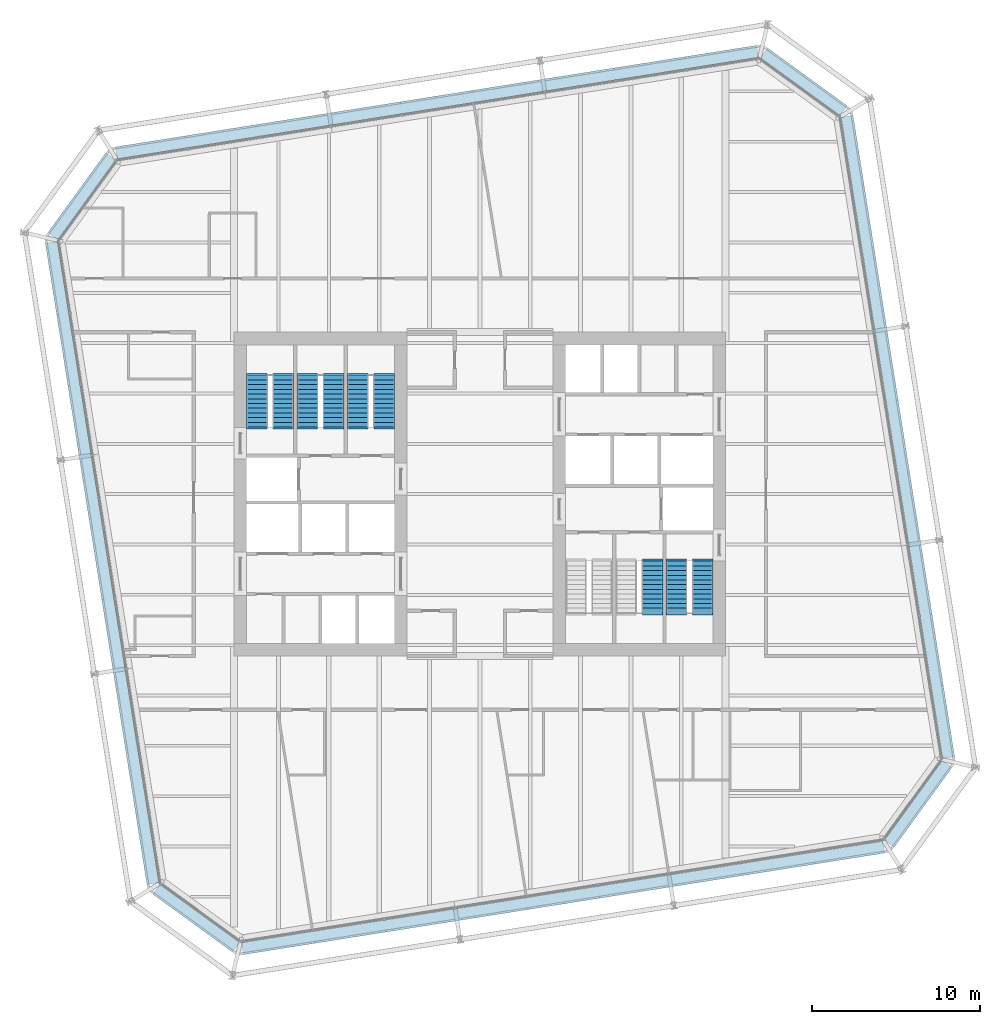
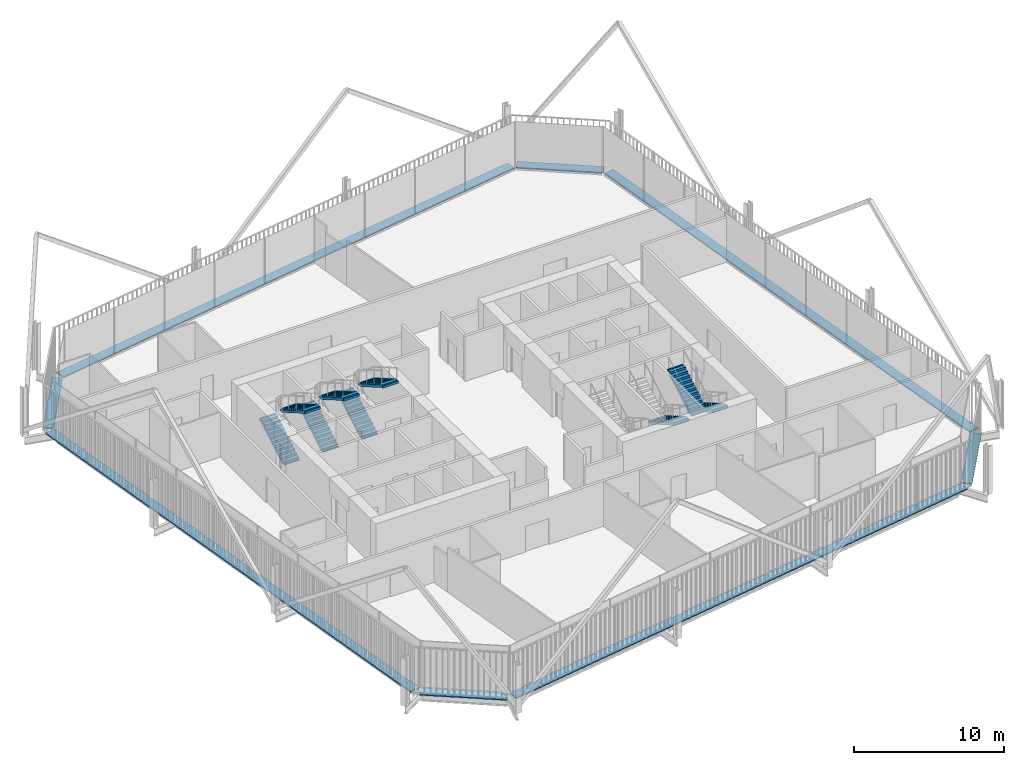
# One storey, part 21 of 22: 9 stair flights, 8 discrete accessories, 5 elements without a shape of their own.
"""IFC4 building model written with IfcOpenShell, lengths in metres."""

import ifcopenshell
import ifcopenshell.guid

model = None  # the IFC model being written
_history = None  # IfcOwnerHistory: only IFC2X3 demands one
_inside = {}  # id of a spatial element -> (the spatial element, [elements in it])
_under = {}  # id of a project, library or spatial element -> (it, [spatial elements below it])
_declared = {}  # id of a project -> (the project, [libraries it declares])
_typed = {}  # id of a type object -> (the type object, [elements of that type])
_made_of = {}  # id of a material, layer set ... -> (it, [elements and type objects made of it])


def new_model(schema):
    """Start an empty IFC model of exactly this schema.

    Asked for "IFC4X3", IfcOpenShell would pick the latest addendum, in which some entities
    have other attributes; the version numbers below select the first issue.
    IFC2X3 requires an IfcOwnerHistory on every rooted entity: one is made here for all.
    """
    global model, _history
    if schema == "IFC4X3":
        model = ifcopenshell.file(schema_version=(4, 3, 0, 0))
    else:
        model = ifcopenshell.file(schema=schema)
    _inside.clear()
    _under.clear()
    _declared.clear()
    _typed.clear()
    _made_of.clear()
    _history = None
    if model.schema == "IFC2X3":
        org = make("IfcOrganization", Name="unknown")
        user = make(
            "IfcPersonAndOrganization",
            ThePerson=make("IfcPerson", FamilyName="unknown"),
            TheOrganization=org,
        )
        app = make(
            "IfcApplication",
            ApplicationDeveloper=org,
            Version="unknown",
            ApplicationFullName="unknown",
            ApplicationIdentifier="unknown",
        )
        _history = make(
            "IfcOwnerHistory",
            OwningUser=user,
            OwningApplication=app,
            ChangeAction="ADDED",
            CreationDate=0,
        )
    return model


def make(cls, **values):
    """One entity of the class cls with the attributes given. An attribute that is None is left unset."""
    return model.create_entity(
        cls, **{name: value for name, value in values.items() if value is not None}
    )


def rooted(cls, **values):
    """An entity with a GlobalId (a new one), such as an element, a storey or a relation."""
    return make(cls, GlobalId=ifcopenshell.guid.new(), OwnerHistory=_history, **values)


def si_unit(unit_type, name, prefix=None):
    """IfcSIUnit, for example si_unit("LENGTHUNIT", "METRE", prefix="MILLI")."""
    return make("IfcSIUnit", UnitType=unit_type, Prefix=prefix, Name=name)


def assignment(units):
    """IfcUnitAssignment: the units of a project."""
    return None if units is None else make("IfcUnitAssignment", Units=units)


def point(xyz):
    """IfcCartesianPoint."""
    return None if xyz is None else make("IfcCartesianPoint", Coordinates=xyz)


def direction(xyz):
    """IfcDirection."""
    return None if xyz is None else make("IfcDirection", DirectionRatios=xyz)


def frame(location, z_axis=None, x_axis=None):
    """IfcAxis2Placement3D, a coordinate frame: its origin and axes. An axis left out is left unset."""
    return make(
        "IfcAxis2Placement3D",
        Location=point(location),
        Axis=direction(z_axis),
        RefDirection=direction(x_axis),
    )


def frame_2d(location, x_axis=None):
    """IfcAxis2Placement2D, a coordinate frame in the plane: its origin and x axis."""
    return make(
        "IfcAxis2Placement2D", Location=point(location), RefDirection=direction(x_axis)
    )


def origin():
    """The frame at (0, 0, 0) with its axes left unset."""
    return frame((0.0, 0.0, 0.0))


def origin_2d():
    """The frame at (0, 0) in the plane with its x axis left unset."""
    return frame_2d((0.0, 0.0))


def place(relative_to, where):
    """IfcLocalPlacement: puts the frame where relative to a parent placement (None: the world)."""
    return make(
        "IfcLocalPlacement", PlacementRelTo=relative_to, RelativePlacement=where
    )


def context(
    kind, dimensions, precision=None, world=None, true_north=None, identifier=None
):
    """IfcGeometricRepresentationContext, for example the 3D "Model" context."""
    return make(
        "IfcGeometricRepresentationContext",
        ContextIdentifier=identifier,
        ContextType=kind,
        CoordinateSpaceDimension=dimensions,
        Precision=precision,
        WorldCoordinateSystem=world,
        TrueNorth=true_north,
    )


def subcontext(parent, identifier, kind, view, scale=None):
    """IfcGeometricRepresentationSubContext, for example "Body" below "Model"."""
    return make(
        "IfcGeometricRepresentationSubContext",
        ContextIdentifier=identifier,
        ContextType=kind,
        ParentContext=parent,
        TargetScale=scale,
        TargetView=view,
    )


def project(units=None, contexts=None):
    """IfcProject with its units and contexts."""
    return rooted(
        "IfcProject",
        Name="project",
        RepresentationContexts=contexts,
        UnitsInContext=assignment(units),
    )


def spatial(cls, under=None, at=None, **own):
    """A site, building, storey or space (cls), placed at a placement, below another one or the project."""
    s = rooted(cls, ObjectPlacement=at, **own)
    if under is not None:
        _under.setdefault(under.id(), (under, []))[1].append(s)
    return s


def polyline(points):
    """IfcPolyline through the points."""
    return make("IfcPolyline", Points=[point(p) for p in points])


def profile(cls, at=None, kind="AREA", **sizes):
    """A parametric profile (cls). Its sizes go by their IFC names, for example OverallWidth=200.0."""
    return make(cls, ProfileType=kind, Position=at, **sizes)


def rectangle(**sizes):
    """IfcRectangleProfileDef."""
    return profile("IfcRectangleProfileDef", **sizes)


def outline(outer, holes=None, kind="AREA"):
    """IfcArbitraryClosedProfileDef: a profile drawn as a closed curve; with holes, ...WithVoids."""
    if holes is None:
        return make("IfcArbitraryClosedProfileDef", ProfileType=kind, OuterCurve=outer)
    return make(
        "IfcArbitraryProfileDefWithVoids",
        ProfileType=kind,
        OuterCurve=outer,
        InnerCurves=holes,
    )


def extrude(swept, where, along, depth):
    """IfcExtrudedAreaSolid: the profile swept, set in the frame where, extruded along a direction by depth."""
    return make(
        "IfcExtrudedAreaSolid",
        SweptArea=swept,
        Position=where,
        ExtrudedDirection=direction(along),
        Depth=depth,
    )


def shape(context_of_items, identifier, shape_type, items):
    """IfcShapeRepresentation: the items that make up one representation, for example the "Body"."""
    return make(
        "IfcShapeRepresentation",
        ContextOfItems=context_of_items,
        RepresentationIdentifier=identifier,
        RepresentationType=shape_type,
        Items=items,
    )


def material(Name=None, Category=None):
    """IfcMaterial."""
    return make("IfcMaterial", Name=Name, Category=Category)


def made_of(thing, what):
    """Note that an element or type object is made of a material, layer set ...; save() writes the relation."""
    if what is not None:
        _made_of.setdefault(what.id(), (what, []))[1].append(thing)
    return thing


def type_object(cls, material=None, **own):
    """A type object (cls), such as IfcWallType, which elements share."""
    return made_of(rooted(cls, **own), material)


def element(
    cls,
    number,
    at=None,
    inside=None,
    cuts=None,
    type_object=None,
    material=None,
    context=None,
    identifier="Body",
    shape_type=None,
    held_by="IfcProductDefinitionShape",
    body=None,
    shapes=None,
    **own,
):
    """One element of the class cls, such as IfcWall. Its Tag is "e" and its number.

    at: its placement. inside: the storey or other place that contains it. cuts: it is an
    opening in that element (IfcRelVoidsElement). A single representation is given by context,
    identifier, shape_type and body (its items); several are given by shapes. held_by: the class
    of the entity that holds the representations. save() writes the other relations.
    """
    e = rooted(cls, Tag="e%d" % number, ObjectPlacement=at, **own)
    if body is not None:
        shapes = [shape(context, identifier, shape_type, body)]
    if shapes is not None:
        e.Representation = make(held_by, Representations=shapes)
    if inside is not None:
        _inside.setdefault(inside.id(), (inside, []))[1].append(e)
    if cuts is not None:
        rooted(
            "IfcRelVoidsElement", RelatingBuildingElement=cuts, RelatedOpeningElement=e
        )
    if type_object is not None:
        _typed.setdefault(type_object.id(), (type_object, []))[1].append(e)
    return made_of(e, material)


def aggregate(whole, parts):
    """IfcRelAggregates: a whole, such as a stair, and the parts it consists of."""
    return rooted("IfcRelAggregates", RelatingObject=whole, RelatedObjects=parts)


def save(model, path):
    """Write the relations noted so far, then the file.

    IfcRelAggregates (storeys below a building ...), IfcRelContainedInSpatialStructure (elements
    in a storey), IfcRelDefinesByType, IfcRelAssociatesMaterial and IfcRelDeclares: one each for
    every whole, place, type object, material and project.
    """
    for whole, parts in _under.values():
        aggregate(whole, parts)
    for where, things in _inside.values():
        rooted(
            "IfcRelContainedInSpatialStructure",
            RelatedElements=things,
            RelatingStructure=where,
        )
    for kind, things in _typed.values():
        rooted("IfcRelDefinesByType", RelatedObjects=things, RelatingType=kind)
    for what, things in _made_of.values():
        rooted("IfcRelAssociatesMaterial", RelatedObjects=things, RelatingMaterial=what)
    for by, libraries in _declared.values():
        rooted("IfcRelDeclares", RelatingContext=by, RelatedDefinitions=libraries)
    model.write(path)


model = new_model("IFC4")

# Units and contexts
model_context = context("Model", 3, precision=1e-05, world=origin(), true_north=direction((0.0, 1.0)))
body_context = subcontext(model_context, "Body", "Model", "MODEL_VIEW")
ifc_project = project(units=[si_unit("LENGTHUNIT", "METRE"), si_unit("AREAUNIT", "SQUARE_METRE"), si_unit("VOLUMEUNIT", "CUBIC_METRE"), si_unit("PLANEANGLEUNIT", "RADIAN"), si_unit("MASSUNIT", "GRAM", prefix="KILO")], contexts=[model_context])

# Site, building, storey
site_placement = place(None, origin())
site = spatial("IfcSite", under=ifc_project, at=site_placement, CompositionType="ELEMENT")
building_placement = place(site_placement, origin())
building = spatial("IfcBuilding", under=site, at=building_placement, Name="Millrace Tower", CompositionType="ELEMENT")
storey_placement = place(building_placement, frame((0.0, 0.0, 168.5)))
storey = spatial("IfcBuildingStorey", under=building, at=storey_placement, Name="L38", CompositionType="ELEMENT", Elevation=168.5)

# Stair, stair flights
ifc_material_1 = material(Name="Concrete C35", Category="concrete")
stair_type = type_object("IfcStairType", Name="Exit stair", PredefinedType="HALF_TURN_STAIR", material=ifc_material_1)
placement = place(storey_placement, origin())
stair_1 = element("IfcStair", 1, at=placement, inside=storey, type_object=stair_type, Name="Stair 1 W L38", PredefinedType="HALF_TURN_STAIR")
ifc_material_2 = material(Name="Concrete C35", Category="concrete")
stair_flight_type = type_object("IfcStairFlightType", Name="Exit stair flight", PredefinedType="STRAIGHT", material=ifc_material_2)
stair_flight_1_placement = place(storey_placement, frame((-13.2900390625, 4.0, 0.0), z_axis=(0.0, 0.0, 1.0), x_axis=(0.0, 1.0, 0.0)))
stair_flight_1 = element("IfcStairFlight", 2, at=stair_flight_1_placement, type_object=stair_flight_type, Name="ST12 flight 1", NumberOfRisers=12, NumberOfTreads=11, PredefinedType="STRAIGHT", RiserHeight=0.1625, TreadLength=0.28, context=body_context, shape_type="SweptSolid", body=[
    extrude(outline(polyline([(-0.1201171875, -0.0400390625), (-0.1201171875, 0.0), (0.0, 0.0), (0.0, 0.16259765625), (0.280029296875, 0.16259765625), (0.280029296875, 0.324951171875), (0.56005859375, 0.324951171875), (0.56005859375, 0.487548828125), (0.840087890625, 0.487548828125), (0.840087890625, 0.64990234375), (1.1201171875, 0.64990234375), (1.1201171875, 0.8125), (1.39990234375, 0.8125), (1.39990234375, 0.97509765625), (1.679931640625, 0.97509765625), (1.679931640625, 1.137451171875), (1.9599609375, 1.137451171875), (1.9599609375, 1.300048828125), (2.239990234375, 1.300048828125), (2.239990234375, 1.46240234375), (2.52001953125, 1.46240234375), (2.52001953125, 1.625), (2.800048828125, 1.625), (2.800048828125, 1.78759765625), (3.080078125, 1.78759765625), (3.080078125, 1.8076171875), (3.199951171875, 1.8076171875), (3.199951171875, 1.6142578125), (3.080078125, 1.6142578125), (0.298583984375, 0.0), (0.298583984375, -0.0400390625), (-0.1201171875, -0.0400390625)])), frame((0.0, 0.60986328125, 0.0), z_axis=(0.0, -1.0, 0.0), x_axis=(1.0, 0.0, 0.0)), (0.0, 0.0, 1.0), 1.219970703125),
])
stair_flight_2_placement = place(storey_placement, frame((-11.7099609375, 7.080078125, 1.949951171875), z_axis=(0.0, 0.0, 1.0), x_axis=(0.0, -1.0, 0.0)))
stair_flight_2 = element("IfcStairFlight", 3, at=stair_flight_2_placement, type_object=stair_flight_type, Name="ST12 flight 2", NumberOfRisers=12, NumberOfTreads=11, PredefinedType="STRAIGHT", RiserHeight=0.1625, TreadLength=0.28, context=body_context, shape_type="SweptSolid", body=[
    extrude(outline(polyline([(-0.1201171875, -0.0400390625), (-0.1201171875, 0.0), (0.0, 0.0), (0.0, 0.16259765625), (0.280029296875, 0.16259765625), (0.280029296875, 0.324951171875), (0.56005859375, 0.324951171875), (0.56005859375, 0.487548828125), (0.840087890625, 0.487548828125), (0.840087890625, 0.64990234375), (1.1201171875, 0.64990234375), (1.1201171875, 0.8125), (1.39990234375, 0.8125), (1.39990234375, 0.97509765625), (1.679931640625, 0.97509765625), (1.679931640625, 1.137451171875), (1.9599609375, 1.137451171875), (1.9599609375, 1.300048828125), (2.239990234375, 1.300048828125), (2.239990234375, 1.46240234375), (2.52001953125, 1.46240234375), (2.52001953125, 1.625), (2.800048828125, 1.625), (2.800048828125, 1.78759765625), (3.080078125, 1.78759765625), (3.080078125, 1.8076171875), (3.199951171875, 1.8076171875), (3.199951171875, 1.6142578125), (3.080078125, 1.6142578125), (0.298583984375, 0.0), (0.298583984375, -0.0400390625), (-0.1201171875, -0.0400390625)])), frame((0.0, 0.60986328125, 0.0), z_axis=(0.0, -1.0, 0.0), x_axis=(1.0, 0.0, 0.0)), (0.0, 0.0, 1.0), 1.219970703125),
])
aggregate(stair_1, [stair_flight_1, stair_flight_2])

stair_2 = element("IfcStair", 4, at=placement, inside=storey, type_object=stair_type, Name="Stair 2 W L38", PredefinedType="HALF_TURN_STAIR")
stair_flight_3_placement = place(storey_placement, frame((-10.2900390625, 4.0, 0.0), z_axis=(0.0, 0.0, 1.0), x_axis=(0.0, 1.0, 0.0)))
stair_flight_3 = element("IfcStairFlight", 5, at=stair_flight_3_placement, type_object=stair_flight_type, Name="ST12 flight 1", NumberOfRisers=12, NumberOfTreads=11, PredefinedType="STRAIGHT", RiserHeight=0.1625, TreadLength=0.28, context=body_context, shape_type="SweptSolid", body=[
    extrude(outline(polyline([(-0.1201171875, -0.0400390625), (-0.1201171875, 0.0), (0.0, 0.0), (0.0, 0.16259765625), (0.280029296875, 0.16259765625), (0.280029296875, 0.324951171875), (0.56005859375, 0.324951171875), (0.56005859375, 0.487548828125), (0.840087890625, 0.487548828125), (0.840087890625, 0.64990234375), (1.1201171875, 0.64990234375), (1.1201171875, 0.8125), (1.39990234375, 0.8125), (1.39990234375, 0.97509765625), (1.679931640625, 0.97509765625), (1.679931640625, 1.137451171875), (1.9599609375, 1.137451171875), (1.9599609375, 1.300048828125), (2.239990234375, 1.300048828125), (2.239990234375, 1.46240234375), (2.52001953125, 1.46240234375), (2.52001953125, 1.625), (2.800048828125, 1.625), (2.800048828125, 1.78759765625), (3.080078125, 1.78759765625), (3.080078125, 1.8076171875), (3.199951171875, 1.8076171875), (3.199951171875, 1.6142578125), (3.080078125, 1.6142578125), (0.298583984375, 0.0), (0.298583984375, -0.0400390625), (-0.1201171875, -0.0400390625)])), frame((0.0, 0.60986328125, 0.0), z_axis=(0.0, -1.0, 0.0), x_axis=(1.0, 0.0, 0.0)), (0.0, 0.0, 1.0), 1.219970703125),
])
stair_flight_4_placement = place(storey_placement, frame((-8.7099609375, 7.080078125, 1.949951171875), z_axis=(0.0, 0.0, 1.0), x_axis=(0.0, -1.0, 0.0)))
stair_flight_4 = element("IfcStairFlight", 6, at=stair_flight_4_placement, type_object=stair_flight_type, Name="ST12 flight 2", NumberOfRisers=12, NumberOfTreads=11, PredefinedType="STRAIGHT", RiserHeight=0.1625, TreadLength=0.28, context=body_context, shape_type="SweptSolid", body=[
    extrude(outline(polyline([(-0.1201171875, -0.0400390625), (-0.1201171875, 0.0), (0.0, 0.0), (0.0, 0.16259765625), (0.280029296875, 0.16259765625), (0.280029296875, 0.324951171875), (0.56005859375, 0.324951171875), (0.56005859375, 0.487548828125), (0.840087890625, 0.487548828125), (0.840087890625, 0.64990234375), (1.1201171875, 0.64990234375), (1.1201171875, 0.8125), (1.39990234375, 0.8125), (1.39990234375, 0.97509765625), (1.679931640625, 0.97509765625), (1.679931640625, 1.137451171875), (1.9599609375, 1.137451171875), (1.9599609375, 1.300048828125), (2.239990234375, 1.300048828125), (2.239990234375, 1.46240234375), (2.52001953125, 1.46240234375), (2.52001953125, 1.625), (2.800048828125, 1.625), (2.800048828125, 1.78759765625), (3.080078125, 1.78759765625), (3.080078125, 1.8076171875), (3.199951171875, 1.8076171875), (3.199951171875, 1.6142578125), (3.080078125, 1.6142578125), (0.298583984375, 0.0), (0.298583984375, -0.0400390625), (-0.1201171875, -0.0400390625)])), frame((0.0, 0.60986328125, 0.0), z_axis=(0.0, -1.0, 0.0), x_axis=(1.0, 0.0, 0.0)), (0.0, 0.0, 1.0), 1.219970703125),
])
aggregate(stair_2, [stair_flight_3, stair_flight_4])

stair_3 = element("IfcStair", 7, at=placement, inside=storey, type_object=stair_type, Name="Stair 3 W L38", PredefinedType="HALF_TURN_STAIR")
stair_flight_5_placement = place(storey_placement, frame((-7.2900390625, 4.0, 0.0), z_axis=(0.0, 0.0, 1.0), x_axis=(0.0, 1.0, 0.0)))
stair_flight_5 = element("IfcStairFlight", 8, at=stair_flight_5_placement, type_object=stair_flight_type, Name="ST12 flight 1", NumberOfRisers=12, NumberOfTreads=11, PredefinedType="STRAIGHT", RiserHeight=0.1625, TreadLength=0.28, context=body_context, shape_type="SweptSolid", body=[
    extrude(outline(polyline([(-0.1201171875, -0.0400390625), (-0.1201171875, 0.0), (0.0, 0.0), (0.0, 0.16259765625), (0.280029296875, 0.16259765625), (0.280029296875, 0.324951171875), (0.56005859375, 0.324951171875), (0.56005859375, 0.487548828125), (0.840087890625, 0.487548828125), (0.840087890625, 0.64990234375), (1.1201171875, 0.64990234375), (1.1201171875, 0.8125), (1.39990234375, 0.8125), (1.39990234375, 0.97509765625), (1.679931640625, 0.97509765625), (1.679931640625, 1.137451171875), (1.9599609375, 1.137451171875), (1.9599609375, 1.300048828125), (2.239990234375, 1.300048828125), (2.239990234375, 1.46240234375), (2.52001953125, 1.46240234375), (2.52001953125, 1.625), (2.800048828125, 1.625), (2.800048828125, 1.78759765625), (3.080078125, 1.78759765625), (3.080078125, 1.8076171875), (3.199951171875, 1.8076171875), (3.199951171875, 1.6142578125), (3.080078125, 1.6142578125), (0.298583984375, 0.0), (0.298583984375, -0.0400390625), (-0.1201171875, -0.0400390625)])), frame((0.0, 0.60986328125, 0.0), z_axis=(0.0, -1.0, 0.0), x_axis=(1.0, 0.0, 0.0)), (0.0, 0.0, 1.0), 1.219970703125),
])
stair_flight_6_placement = place(storey_placement, frame((-5.7099609375, 7.080078125, 1.949951171875), z_axis=(0.0, 0.0, 1.0), x_axis=(0.0, -1.0, 0.0)))
stair_flight_6 = element("IfcStairFlight", 9, at=stair_flight_6_placement, type_object=stair_flight_type, Name="ST12 flight 2", NumberOfRisers=12, NumberOfTreads=11, PredefinedType="STRAIGHT", RiserHeight=0.1625, TreadLength=0.28, context=body_context, shape_type="SweptSolid", body=[
    extrude(outline(polyline([(-0.1201171875, -0.0400390625), (-0.1201171875, 0.0), (0.0, 0.0), (0.0, 0.16259765625), (0.280029296875, 0.16259765625), (0.280029296875, 0.324951171875), (0.56005859375, 0.324951171875), (0.56005859375, 0.487548828125), (0.840087890625, 0.487548828125), (0.840087890625, 0.64990234375), (1.1201171875, 0.64990234375), (1.1201171875, 0.8125), (1.39990234375, 0.8125), (1.39990234375, 0.97509765625), (1.679931640625, 0.97509765625), (1.679931640625, 1.137451171875), (1.9599609375, 1.137451171875), (1.9599609375, 1.300048828125), (2.239990234375, 1.300048828125), (2.239990234375, 1.46240234375), (2.52001953125, 1.46240234375), (2.52001953125, 1.625), (2.800048828125, 1.625), (2.800048828125, 1.78759765625), (3.080078125, 1.78759765625), (3.080078125, 1.8076171875), (3.199951171875, 1.8076171875), (3.199951171875, 1.6142578125), (3.080078125, 1.6142578125), (0.298583984375, 0.0), (0.298583984375, -0.0400390625), (-0.1201171875, -0.0400390625)])), frame((0.0, 0.60986328125, 0.0), z_axis=(0.0, -1.0, 0.0), x_axis=(1.0, 0.0, 0.0)), (0.0, 0.0, 1.0), 1.219970703125),
])
aggregate(stair_3, [stair_flight_5, stair_flight_6])

stair_4 = element("IfcStair", 10, at=placement, inside=storey, type_object=stair_type, Name="Stair 1 E L38", PredefinedType="HALF_TURN_STAIR")
stair_flight_7_placement = place(storey_placement, frame((13.2900390625, -4.0, 0.0), z_axis=(0.0, 0.0, 1.0), x_axis=(0.0, -1.0, 0.0)))
stair_flight_7 = element("IfcStairFlight", 11, at=stair_flight_7_placement, type_object=stair_flight_type, Name="ST12 flight 1", NumberOfRisers=12, NumberOfTreads=11, PredefinedType="STRAIGHT", RiserHeight=0.1625, TreadLength=0.28, context=body_context, shape_type="SweptSolid", body=[
    extrude(outline(polyline([(-0.1201171875, -0.0400390625), (-0.1201171875, 0.0), (0.0, 0.0), (0.0, 0.16259765625), (0.280029296875, 0.16259765625), (0.280029296875, 0.324951171875), (0.56005859375, 0.324951171875), (0.56005859375, 0.487548828125), (0.840087890625, 0.487548828125), (0.840087890625, 0.64990234375), (1.1201171875, 0.64990234375), (1.1201171875, 0.8125), (1.39990234375, 0.8125), (1.39990234375, 0.97509765625), (1.679931640625, 0.97509765625), (1.679931640625, 1.137451171875), (1.9599609375, 1.137451171875), (1.9599609375, 1.300048828125), (2.239990234375, 1.300048828125), (2.239990234375, 1.46240234375), (2.52001953125, 1.46240234375), (2.52001953125, 1.625), (2.800048828125, 1.625), (2.800048828125, 1.78759765625), (3.080078125, 1.78759765625), (3.080078125, 1.8076171875), (3.199951171875, 1.8076171875), (3.199951171875, 1.6142578125), (3.080078125, 1.6142578125), (0.298583984375, 0.0), (0.298583984375, -0.0400390625), (-0.1201171875, -0.0400390625)])), frame((0.0, 0.60986328125, 0.0), z_axis=(0.0, -1.0, 0.0), x_axis=(1.0, 0.0, 0.0)), (0.0, 0.0, 1.0), 1.219970703125),
])
stair_flight_8_placement = place(storey_placement, frame((11.7099609375, -7.080078125, 1.949951171875), z_axis=(0.0, 0.0, 1.0), x_axis=(0.0, 1.0, 0.0)))
stair_flight_8 = element("IfcStairFlight", 12, at=stair_flight_8_placement, type_object=stair_flight_type, Name="ST12 flight 2", NumberOfRisers=12, NumberOfTreads=11, PredefinedType="STRAIGHT", RiserHeight=0.1625, TreadLength=0.28, context=body_context, shape_type="SweptSolid", body=[
    extrude(outline(polyline([(-0.1201171875, -0.0400390625), (-0.1201171875, 0.0), (0.0, 0.0), (0.0, 0.16259765625), (0.280029296875, 0.16259765625), (0.280029296875, 0.324951171875), (0.56005859375, 0.324951171875), (0.56005859375, 0.487548828125), (0.840087890625, 0.487548828125), (0.840087890625, 0.64990234375), (1.1201171875, 0.64990234375), (1.1201171875, 0.8125), (1.39990234375, 0.8125), (1.39990234375, 0.97509765625), (1.679931640625, 0.97509765625), (1.679931640625, 1.137451171875), (1.9599609375, 1.137451171875), (1.9599609375, 1.300048828125), (2.239990234375, 1.300048828125), (2.239990234375, 1.46240234375), (2.52001953125, 1.46240234375), (2.52001953125, 1.625), (2.800048828125, 1.625), (2.800048828125, 1.78759765625), (3.080078125, 1.78759765625), (3.080078125, 1.8076171875), (3.199951171875, 1.8076171875), (3.199951171875, 1.6142578125), (3.080078125, 1.6142578125), (0.298583984375, 0.0), (0.298583984375, -0.0400390625), (-0.1201171875, -0.0400390625)])), frame((0.0, 0.60986328125, 0.0), z_axis=(0.0, -1.0, 0.0), x_axis=(1.0, 0.0, 0.0)), (0.0, 0.0, 1.0), 1.219970703125),
])
aggregate(stair_4, [stair_flight_7, stair_flight_8])

# Stair, stair flight
stair_5 = element("IfcStair", 13, at=placement, inside=storey, type_object=stair_type, Name="Stair 2 E L38", PredefinedType="HALF_TURN_STAIR")
stair_flight_9_placement = place(storey_placement, frame((10.2900390625, -4.0, 0.0), z_axis=(0.0, 0.0, 1.0), x_axis=(0.0, -1.0, 0.0)))
stair_flight_9 = element("IfcStairFlight", 14, at=stair_flight_9_placement, type_object=stair_flight_type, Name="ST12 flight 1", NumberOfRisers=12, NumberOfTreads=11, PredefinedType="STRAIGHT", RiserHeight=0.1625, TreadLength=0.28, context=body_context, shape_type="SweptSolid", body=[
    extrude(outline(polyline([(-0.1201171875, -0.0400390625), (-0.1201171875, 0.0), (0.0, 0.0), (0.0, 0.16259765625), (0.280029296875, 0.16259765625), (0.280029296875, 0.324951171875), (0.56005859375, 0.324951171875), (0.56005859375, 0.487548828125), (0.840087890625, 0.487548828125), (0.840087890625, 0.64990234375), (1.1201171875, 0.64990234375), (1.1201171875, 0.8125), (1.39990234375, 0.8125), (1.39990234375, 0.97509765625), (1.679931640625, 0.97509765625), (1.679931640625, 1.137451171875), (1.9599609375, 1.137451171875), (1.9599609375, 1.300048828125), (2.239990234375, 1.300048828125), (2.239990234375, 1.46240234375), (2.52001953125, 1.46240234375), (2.52001953125, 1.625), (2.800048828125, 1.625), (2.800048828125, 1.78759765625), (3.080078125, 1.78759765625), (3.080078125, 1.8076171875), (3.199951171875, 1.8076171875), (3.199951171875, 1.6142578125), (3.080078125, 1.6142578125), (0.298583984375, 0.0), (0.298583984375, -0.0400390625), (-0.1201171875, -0.0400390625)])), frame((0.0, 0.60986328125, 0.0), z_axis=(0.0, -1.0, 0.0), x_axis=(1.0, 0.0, 0.0)), (0.0, 0.0, 1.0), 1.219970703125),
])
aggregate(stair_5, [stair_flight_9])

# Discrete accessories
ifc_material_3 = material(Name="Stainless steel ASTM A240 type 316", Category="steel")
discrete_accessory_type = type_object("IfcDiscreteAccessoryType", Name="Thermally broken screen support rail", PredefinedType="BRACKET", material=ifc_material_3)
discrete_accessory_1_placement = place(storey_placement, frame((-16.909423828125, -25.275390625, 0.0), z_axis=(0.0, 0.0, 1.0), x_axis=(0.809016981623, -0.587785269844, 0.0)))
element("IfcDiscreteAccessory", 15, at=discrete_accessory_1_placement, inside=storey, type_object=discrete_accessory_type, Name="Thermally broken screen support rail C-F01 L38 1", PredefinedType="BRACKET", context=body_context, shape_type="SweptSolid", body=[
    extrude(rectangle(XDim=5.868896484375, YDim=0.719970703125, at=origin_2d()), origin(), (0.0, 0.0, 1.0), 0.10009765625),
])
discrete_accessory_2_placement = place(storey_placement, frame((4.9560546875, -24.064453125, 0.0), z_axis=(0.0, 0.0, 1.0), x_axis=(0.98768833929, 0.15643447328, 0.0)))
element("IfcDiscreteAccessory", 16, at=discrete_accessory_2_placement, inside=storey, type_object=discrete_accessory_type, Name="Thermally broken screen support rail C-F02 L38 1", PredefinedType="BRACKET", context=body_context, shape_type="SweptSolid", body=[
    extrude(rectangle(XDim=38.699951171875, YDim=0.719970703125, at=origin_2d()), origin(), (0.0, 0.0, 1.0), 0.10009765625),
])
discrete_accessory_3_placement = place(storey_placement, frame((26.12548828125, -18.45947265625, 0.0), z_axis=(0.0, 0.0, 1.0), x_axis=(0.587785269844, 0.809016981623, 0.0)))
element("IfcDiscreteAccessory", 17, at=discrete_accessory_3_placement, inside=storey, type_object=discrete_accessory_type, Name="Thermally broken screen support rail C-F03 L38 1", PredefinedType="BRACKET", context=body_context, shape_type="SweptSolid", body=[
    extrude(rectangle(XDim=5.868896484375, YDim=0.719970703125, at=origin_2d()), origin(), (0.0, 0.0, 1.0), 0.10009765625),
])
discrete_accessory_4_placement = place(storey_placement, frame((24.914306640625, 3.406005859375, 0.0), z_axis=(0.0, 0.0, 1.0), x_axis=(-0.15643447328, 0.98768833929, 0.0)))
element("IfcDiscreteAccessory", 18, at=discrete_accessory_4_placement, inside=storey, type_object=discrete_accessory_type, Name="Thermally broken screen support rail C-F04 L38 1", PredefinedType="BRACKET", context=body_context, shape_type="SweptSolid", body=[
    extrude(rectangle(XDim=38.699951171875, YDim=0.719970703125, at=origin_2d()), origin(), (0.0, 0.0, 1.0), 0.10009765625),
])
discrete_accessory_5_placement = place(storey_placement, frame((19.309326171875, 24.575439453125, 0.0), z_axis=(0.0, 0.0, 1.0), x_axis=(-0.809016981623, 0.587785269844, 0.0)))
element("IfcDiscreteAccessory", 19, at=discrete_accessory_5_placement, inside=storey, type_object=discrete_accessory_type, Name="Thermally broken screen support rail C-F05 L38 1", PredefinedType="BRACKET", context=body_context, shape_type="SweptSolid", body=[
    extrude(rectangle(XDim=5.868896484375, YDim=0.719970703125, at=origin_2d()), origin(), (0.0, 0.0, 1.0), 0.10009765625),
])
discrete_accessory_6_placement = place(storey_placement, frame((-2.555908203125, 23.364501953125, 0.0), z_axis=(0.0, 0.0, 1.0), x_axis=(-0.98768833929, -0.15643447328, 0.0)))
element("IfcDiscreteAccessory", 20, at=discrete_accessory_6_placement, inside=storey, type_object=discrete_accessory_type, Name="Thermally broken screen support rail C-F06 L38 1", PredefinedType="BRACKET", context=body_context, shape_type="SweptSolid", body=[
    extrude(rectangle(XDim=38.699951171875, YDim=0.719970703125, at=origin_2d()), origin(), (0.0, 0.0, 1.0), 0.10009765625),
])
discrete_accessory_7_placement = place(storey_placement, frame((-23.725341796875, 17.75927734375, 0.0), z_axis=(0.0, 0.0, 1.0), x_axis=(-0.587785269844, -0.809016981623, 0.0)))
element("IfcDiscreteAccessory", 21, at=discrete_accessory_7_placement, inside=storey, type_object=discrete_accessory_type, Name="Thermally broken screen support rail C-F07 L38 1", PredefinedType="BRACKET", context=body_context, shape_type="SweptSolid", body=[
    extrude(rectangle(XDim=5.868896484375, YDim=0.719970703125, at=origin_2d()), origin(), (0.0, 0.0, 1.0), 0.10009765625),
])
discrete_accessory_8_placement = place(storey_placement, frame((-22.514404296875, -4.10595703125, 0.0), z_axis=(0.0, 0.0, 1.0), x_axis=(0.15643447328, -0.98768833929, 0.0)))
element("IfcDiscreteAccessory", 22, at=discrete_accessory_8_placement, inside=storey, type_object=discrete_accessory_type, Name="Thermally broken screen support rail C-F08 L38 1", PredefinedType="BRACKET", context=body_context, shape_type="SweptSolid", body=[
    extrude(rectangle(XDim=38.699951171875, YDim=0.719970703125, at=origin_2d()), origin(), (0.0, 0.0, 1.0), 0.10009765625),
])

save(model, "model.ifc")
